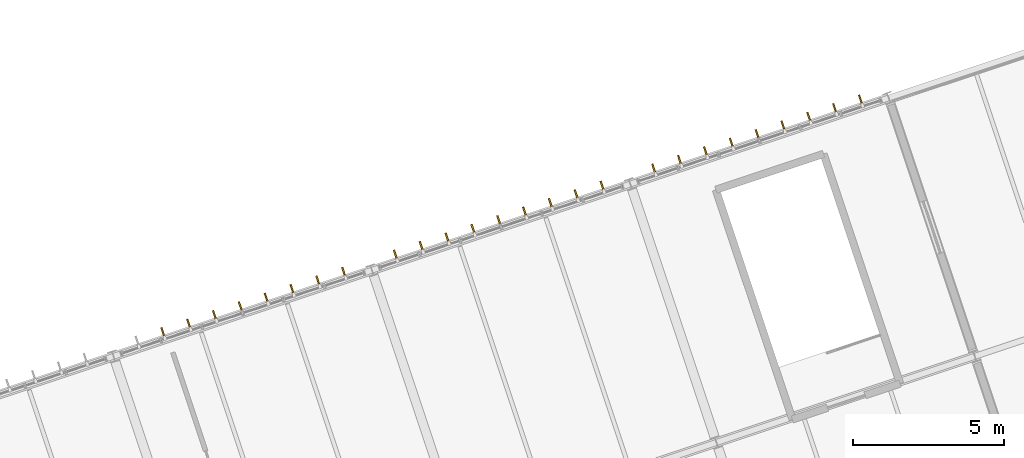
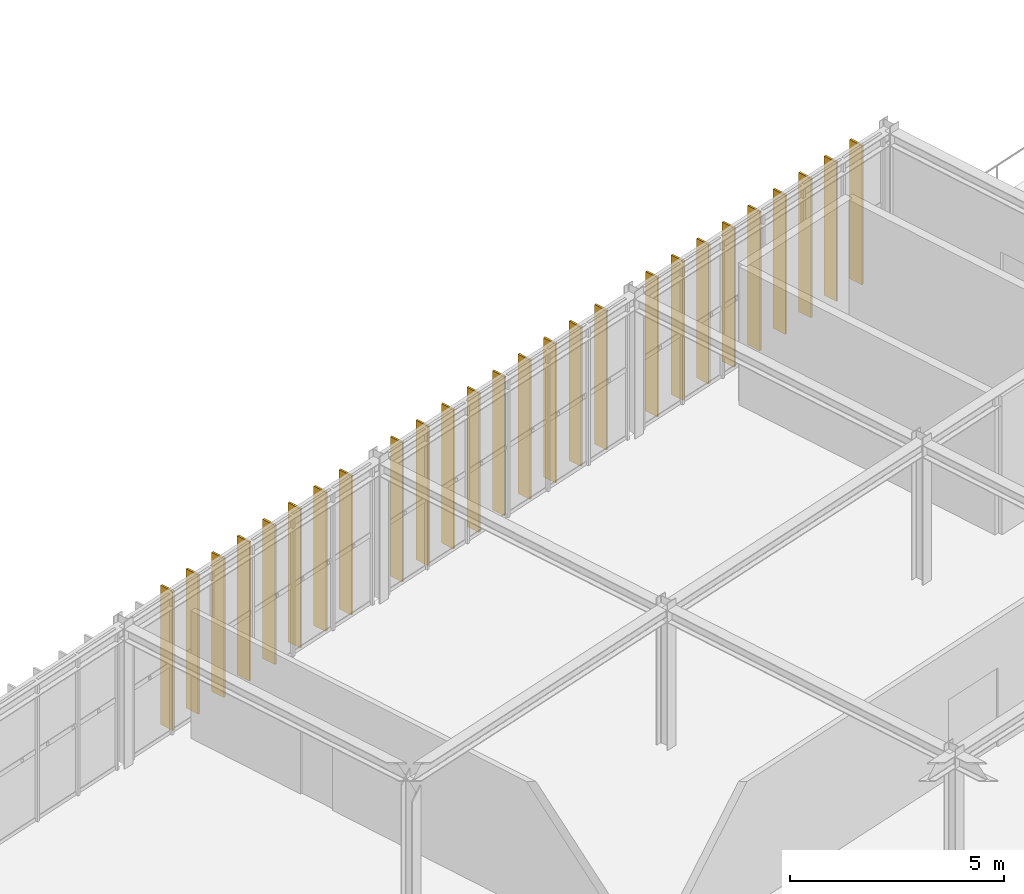
# One storey, part 57 of 61: 26 shading devices.
"""IFC4 building model written with IfcOpenShell, lengths in metres."""

import ifcopenshell
import ifcopenshell.guid

model = None  # the IFC model being written
_history = None  # IfcOwnerHistory: only IFC2X3 demands one
_inside = {}  # id of a spatial element -> (the spatial element, [elements in it])
_under = {}  # id of a project, library or spatial element -> (it, [spatial elements below it])
_declared = {}  # id of a project -> (the project, [libraries it declares])
_typed = {}  # id of a type object -> (the type object, [elements of that type])
_made_of = {}  # id of a material, layer set ... -> (it, [elements and type objects made of it])


def new_model(schema):
    """Start an empty IFC model of exactly this schema.

    Asked for "IFC4X3", IfcOpenShell would pick the latest addendum, in which some entities
    have other attributes; the version numbers below select the first issue.
    IFC2X3 requires an IfcOwnerHistory on every rooted entity: one is made here for all.
    """
    global model, _history
    if schema == "IFC4X3":
        model = ifcopenshell.file(schema_version=(4, 3, 0, 0))
    else:
        model = ifcopenshell.file(schema=schema)
    _inside.clear()
    _under.clear()
    _declared.clear()
    _typed.clear()
    _made_of.clear()
    _history = None
    if model.schema == "IFC2X3":
        org = make("IfcOrganization", Name="unknown")
        user = make(
            "IfcPersonAndOrganization",
            ThePerson=make("IfcPerson", FamilyName="unknown"),
            TheOrganization=org,
        )
        app = make(
            "IfcApplication",
            ApplicationDeveloper=org,
            Version="unknown",
            ApplicationFullName="unknown",
            ApplicationIdentifier="unknown",
        )
        _history = make(
            "IfcOwnerHistory",
            OwningUser=user,
            OwningApplication=app,
            ChangeAction="ADDED",
            CreationDate=0,
        )
    return model


def make(cls, **values):
    """One entity of the class cls with the attributes given. An attribute that is None is left unset."""
    return model.create_entity(
        cls, **{name: value for name, value in values.items() if value is not None}
    )


def rooted(cls, **values):
    """An entity with a GlobalId (a new one), such as an element, a storey or a relation."""
    return make(cls, GlobalId=ifcopenshell.guid.new(), OwnerHistory=_history, **values)


def si_unit(unit_type, name, prefix=None):
    """IfcSIUnit, for example si_unit("LENGTHUNIT", "METRE", prefix="MILLI")."""
    return make("IfcSIUnit", UnitType=unit_type, Prefix=prefix, Name=name)


def derived_unit(unit_type, elements):
    """IfcDerivedUnit: a product of units, each with its exponent."""
    return make(
        "IfcDerivedUnit",
        Elements=[
            make("IfcDerivedUnitElement", Unit=unit, Exponent=power)
            for unit, power in elements
        ],
        UnitType=unit_type,
    )


def assignment(units):
    """IfcUnitAssignment: the units of a project."""
    return None if units is None else make("IfcUnitAssignment", Units=units)


def point(xyz):
    """IfcCartesianPoint."""
    return None if xyz is None else make("IfcCartesianPoint", Coordinates=xyz)


def direction(xyz):
    """IfcDirection."""
    return None if xyz is None else make("IfcDirection", DirectionRatios=xyz)


def frame(location, z_axis=None, x_axis=None):
    """IfcAxis2Placement3D, a coordinate frame: its origin and axes. An axis left out is left unset."""
    return make(
        "IfcAxis2Placement3D",
        Location=point(location),
        Axis=direction(z_axis),
        RefDirection=direction(x_axis),
    )


def frame_2d(location, x_axis=None):
    """IfcAxis2Placement2D, a coordinate frame in the plane: its origin and x axis."""
    return make(
        "IfcAxis2Placement2D", Location=point(location), RefDirection=direction(x_axis)
    )


def origin():
    """The frame at (0, 0, 0) with its axes left unset."""
    return frame((0.0, 0.0, 0.0))


def origin_2d():
    """The frame at (0, 0) in the plane with its x axis left unset."""
    return frame_2d((0.0, 0.0))


def place(relative_to, where):
    """IfcLocalPlacement: puts the frame where relative to a parent placement (None: the world)."""
    return make(
        "IfcLocalPlacement", PlacementRelTo=relative_to, RelativePlacement=where
    )


def context(
    kind, dimensions, precision=None, world=None, true_north=None, identifier=None
):
    """IfcGeometricRepresentationContext, for example the 3D "Model" context."""
    return make(
        "IfcGeometricRepresentationContext",
        ContextIdentifier=identifier,
        ContextType=kind,
        CoordinateSpaceDimension=dimensions,
        Precision=precision,
        WorldCoordinateSystem=world,
        TrueNorth=true_north,
    )


def subcontext(parent, identifier, kind, view, scale=None):
    """IfcGeometricRepresentationSubContext, for example "Body" below "Model"."""
    return make(
        "IfcGeometricRepresentationSubContext",
        ContextIdentifier=identifier,
        ContextType=kind,
        ParentContext=parent,
        TargetScale=scale,
        TargetView=view,
    )


def project(units=None, contexts=None):
    """IfcProject with its units and contexts."""
    return rooted(
        "IfcProject",
        Name="project",
        RepresentationContexts=contexts,
        UnitsInContext=assignment(units),
    )


def spatial(cls, under=None, at=None, **own):
    """A site, building, storey or space (cls), placed at a placement, below another one or the project."""
    s = rooted(cls, ObjectPlacement=at, **own)
    if under is not None:
        _under.setdefault(under.id(), (under, []))[1].append(s)
    return s


def profile(cls, at=None, kind="AREA", **sizes):
    """A parametric profile (cls). Its sizes go by their IFC names, for example OverallWidth=200.0."""
    return make(cls, ProfileType=kind, Position=at, **sizes)


def rectangle(**sizes):
    """IfcRectangleProfileDef."""
    return profile("IfcRectangleProfileDef", **sizes)


def extrude(swept, where, along, depth):
    """IfcExtrudedAreaSolid: the profile swept, set in the frame where, extruded along a direction by depth."""
    return make(
        "IfcExtrudedAreaSolid",
        SweptArea=swept,
        Position=where,
        ExtrudedDirection=direction(along),
        Depth=depth,
    )


def shape(context_of_items, identifier, shape_type, items):
    """IfcShapeRepresentation: the items that make up one representation, for example the "Body"."""
    return make(
        "IfcShapeRepresentation",
        ContextOfItems=context_of_items,
        RepresentationIdentifier=identifier,
        RepresentationType=shape_type,
        Items=items,
    )


def material(Name=None, Category=None):
    """IfcMaterial."""
    return make("IfcMaterial", Name=Name, Category=Category)


def layer(
    of_material, thickness, ventilated=None, Name=None, Category=None, Priority=None
):
    """IfcMaterialLayer: one layer of a wall or slab, of a material (None: an air gap)."""
    return make(
        "IfcMaterialLayer",
        Material=of_material,
        LayerThickness=thickness,
        IsVentilated=ventilated,
        Name=Name,
        Category=Category,
        Priority=Priority,
    )


def layer_set(layers, Name=None):
    """IfcMaterialLayerSet."""
    return make("IfcMaterialLayerSet", MaterialLayers=layers, LayerSetName=Name)


def made_of(thing, what):
    """Note that an element or type object is made of a material, layer set ...; save() writes the relation."""
    if what is not None:
        _made_of.setdefault(what.id(), (what, []))[1].append(thing)
    return thing


def type_object(cls, material=None, **own):
    """A type object (cls), such as IfcWallType, which elements share."""
    return made_of(rooted(cls, **own), material)


def element(
    cls,
    number,
    at=None,
    inside=None,
    cuts=None,
    type_object=None,
    material=None,
    context=None,
    identifier="Body",
    shape_type=None,
    held_by="IfcProductDefinitionShape",
    body=None,
    shapes=None,
    **own,
):
    """One element of the class cls, such as IfcWall. Its Tag is "e" and its number.

    at: its placement. inside: the storey or other place that contains it. cuts: it is an
    opening in that element (IfcRelVoidsElement). A single representation is given by context,
    identifier, shape_type and body (its items); several are given by shapes. held_by: the class
    of the entity that holds the representations. save() writes the other relations.
    """
    e = rooted(cls, Tag="e%d" % number, ObjectPlacement=at, **own)
    if body is not None:
        shapes = [shape(context, identifier, shape_type, body)]
    if shapes is not None:
        e.Representation = make(held_by, Representations=shapes)
    if inside is not None:
        _inside.setdefault(inside.id(), (inside, []))[1].append(e)
    if cuts is not None:
        rooted(
            "IfcRelVoidsElement", RelatingBuildingElement=cuts, RelatedOpeningElement=e
        )
    if type_object is not None:
        _typed.setdefault(type_object.id(), (type_object, []))[1].append(e)
    return made_of(e, material)


def aggregate(whole, parts):
    """IfcRelAggregates: a whole, such as a stair, and the parts it consists of."""
    return rooted("IfcRelAggregates", RelatingObject=whole, RelatedObjects=parts)


def save(model, path):
    """Write the relations noted so far, then the file.

    IfcRelAggregates (storeys below a building ...), IfcRelContainedInSpatialStructure (elements
    in a storey), IfcRelDefinesByType, IfcRelAssociatesMaterial and IfcRelDeclares: one each for
    every whole, place, type object, material and project.
    """
    for whole, parts in _under.values():
        aggregate(whole, parts)
    for where, things in _inside.values():
        rooted(
            "IfcRelContainedInSpatialStructure",
            RelatedElements=things,
            RelatingStructure=where,
        )
    for kind, things in _typed.values():
        rooted("IfcRelDefinesByType", RelatedObjects=things, RelatingType=kind)
    for what, things in _made_of.values():
        rooted("IfcRelAssociatesMaterial", RelatedObjects=things, RelatingMaterial=what)
    for by, libraries in _declared.values():
        rooted("IfcRelDeclares", RelatingContext=by, RelatedDefinitions=libraries)
    model.write(path)


model = new_model("IFC4")

# Units and contexts
model_context = context("Model", 3, precision=1e-05, world=origin(), true_north=direction((0.0, 1.0)))
body_context = subcontext(model_context, "Body", "Model", "MODEL_VIEW")
ifc_project = project(units=[si_unit("LENGTHUNIT", "METRE"), si_unit("AREAUNIT", "SQUARE_METRE"), si_unit("VOLUMEUNIT", "CUBIC_METRE"), si_unit("PLANEANGLEUNIT", "RADIAN"), si_unit("MASSUNIT", "GRAM", prefix="KILO"), si_unit("THERMODYNAMICTEMPERATUREUNIT", "KELVIN"), si_unit("TIMEUNIT", "SECOND"), derived_unit("THERMALTRANSMITTANCEUNIT", [(si_unit("MASSUNIT", "GRAM", prefix="KILO"), 1), (si_unit("THERMODYNAMICTEMPERATUREUNIT", "KELVIN"), -1), (si_unit("TIMEUNIT", "SECOND"), -3)])], contexts=[model_context])

# Site, building, storey
site_placement = place(None, origin())
site = spatial("IfcSite", under=ifc_project, at=site_placement, CompositionType="ELEMENT")
building_placement = place(site_placement, origin())
building = spatial("IfcBuilding", under=site, at=building_placement, Name="Cambertide Market Hall", CompositionType="ELEMENT")
storey_placement = place(building_placement, frame((0.0, 0.0, 9.89990234375)))
storey = spatial("IfcBuildingStorey", under=building, at=storey_placement, Name="L03", CompositionType="ELEMENT", Elevation=9.89990234375)

# Shading devices
ifc_material = material(Name="Champagne Marine Anodized Aluminium 6063-T6 AA25", Category="aluminium")
ifc_layer = layer(ifc_material, 0.054931640625, Name="Wing Facade Vertical Sun Fin 380x55")
ifc_layer_set = layer_set([ifc_layer], Name="Champagne Marine Anodized Aluminium 6063-T6 AA25")
shading_device_type = type_object("IfcShadingDeviceType", Name="Wing Facade Vertical Sun Fin 380x55", PredefinedType="JALOUSIE", material=ifc_layer_set)
for number, where, z_axis, x_axis, name in (
    (1, (116.179443359375, 44.074951171875, 0.0), (0.0, 0.0, 1.0), (0.948683274577, 0.316227836438, 0.0), "CW-V3N-L03-3 Vertical Fin 2"),
    (2, (117.033203125, 44.359619140625, 0.0), (0.0, 0.0, 1.0), (0.948683274577, 0.316227836438, 0.0), "CW-V3N-L03-3 Vertical Fin 3"),
    (3, (117.886962890625, 44.644287109375, 0.0), (0.0, 0.0, 1.0), (0.948683274577, 0.316227836438, 0.0), "CW-V3N-L03-3 Vertical Fin 4"),
    (4, (118.74072265625, 44.9287109375, 0.0), (0.0, 0.0, 1.0), (0.948683274577, 0.316227836438, 0.0), "CW-V3N-L03-3 Vertical Fin 5"),
    (5, (119.5947265625, 45.21337890625, 0.0), (0.0, 0.0, 1.0), (0.948683274577, 0.316227836438, 0.0), "CW-V3N-L03-3 Vertical Fin 6"),
    (6, (120.448486328125, 45.498046875, 0.0), (0.0, 0.0, 1.0), (0.948683274577, 0.316227836438, 0.0), "CW-V3N-L03-3 Vertical Fin 7"),
    (7, (121.30224609375, 45.78271484375, 0.0), (0.0, 0.0, 1.0), (0.948683274577, 0.316227836438, 0.0), "CW-V3N-L03-3 Vertical Fin 8"),
    (8, (122.156005859375, 46.067138671875, 0.0), (0.0, 0.0, 1.0), (0.948683274577, 0.316227836438, 0.0), "CW-V3N-L03-3 Vertical Fin 9"),
    (9, (123.86376953125, 46.636474609375, 0.0), (0.0, 0.0, 1.0), (0.948683286311, 0.316227801236, 0.0), "CW-V3N-L03-4 Vertical Fin 1"),
    (10, (124.717529296875, 46.921142578125, 0.0), (0.0, 0.0, 1.0), (0.948683286311, 0.316227801236, 0.0), "CW-V3N-L03-4 Vertical Fin 2"),
    (11, (125.5712890625, 47.20556640625, 0.0), (0.0, 0.0, 1.0), (0.948683286311, 0.316227801236, 0.0), "CW-V3N-L03-4 Vertical Fin 3"),
    (12, (126.425048828125, 47.490234375, 0.0), (0.0, 0.0, 1.0), (0.948683286311, 0.316227801236, 0.0), "CW-V3N-L03-4 Vertical Fin 4"),
    (13, (127.279052734375, 47.77490234375, 0.0), (0.0, 0.0, 1.0), (0.948683286311, 0.316227801236, 0.0), "CW-V3N-L03-4 Vertical Fin 5"),
    (14, (128.1328125, 48.0595703125, 0.0), (0.0, 0.0, 1.0), (0.948683286311, 0.316227801236, 0.0), "CW-V3N-L03-4 Vertical Fin 6"),
    (15, (128.986572265625, 48.343994140625, 0.0), (0.0, 0.0, 1.0), (0.948683286311, 0.316227801236, 0.0), "CW-V3N-L03-4 Vertical Fin 7"),
    (16, (129.84033203125, 48.628662109375, 0.0), (0.0, 0.0, 1.0), (0.948683286311, 0.316227801236, 0.0), "CW-V3N-L03-4 Vertical Fin 8"),
    (17, (130.6943359375, 48.913330078125, 0.0), (0.0, 0.0, 1.0), (0.948683286311, 0.316227801236, 0.0), "CW-V3N-L03-4 Vertical Fin 9"),
    (18, (132.40185546875, 49.482421875, 0.0), (0.0, 0.0, 1.0), (0.948683286311, 0.316227801236, 0.0), "CW-V3N-L03-5 Vertical Fin 1"),
    (19, (133.255615234375, 49.76708984375, 0.0), (0.0, 0.0, 1.0), (0.948683286311, 0.316227801236, 0.0), "CW-V3N-L03-5 Vertical Fin 2"),
    (20, (134.109375, 50.0517578125, 0.0), (0.0, 0.0, 1.0), (0.948683286311, 0.316227801236, 0.0), "CW-V3N-L03-5 Vertical Fin 3"),
    (21, (134.96337890625, 50.336181640625, 0.0), (0.0, 0.0, 1.0), (0.948683286311, 0.316227801236, 0.0), "CW-V3N-L03-5 Vertical Fin 4"),
    (22, (135.817138671875, 50.620849609375, 0.0), (0.0, 0.0, 1.0), (0.948683286311, 0.316227801236, 0.0), "CW-V3N-L03-5 Vertical Fin 5"),
    (23, (136.6708984375, 50.905517578125, 0.0), (0.0, 0.0, 1.0), (0.948683286311, 0.316227801236, 0.0), "CW-V3N-L03-5 Vertical Fin 6"),
    (24, (137.524658203125, 51.190185546875, 0.0), (0.0, 0.0, 1.0), (0.948683286311, 0.316227801236, 0.0), "CW-V3N-L03-5 Vertical Fin 7"),
    (25, (138.378662109375, 51.474609375, 0.0), (0.0, 0.0, 1.0), (0.948683286311, 0.316227801236, 0.0), "CW-V3N-L03-5 Vertical Fin 8"),
    (26, (139.232421875, 51.75927734375, 0.0), (0.0, 0.0, 1.0), (0.948683286311, 0.316227801236, 0.0), "CW-V3N-L03-5 Vertical Fin 9"),
):
    element("IfcShadingDevice", number, at=place(storey_placement, frame(where, z_axis=z_axis, x_axis=x_axis)), inside=storey, type_object=shading_device_type, Name=name, PredefinedType="JALOUSIE", context=body_context, shape_type="SweptSolid", body=[
        extrude(rectangle(XDim=0.054931640625, YDim=0.3798828125, at=origin_2d()), origin(), (0.0, 0.0, 1.0), 3.97998046875),
    ])

save(model, "model.ifc")
